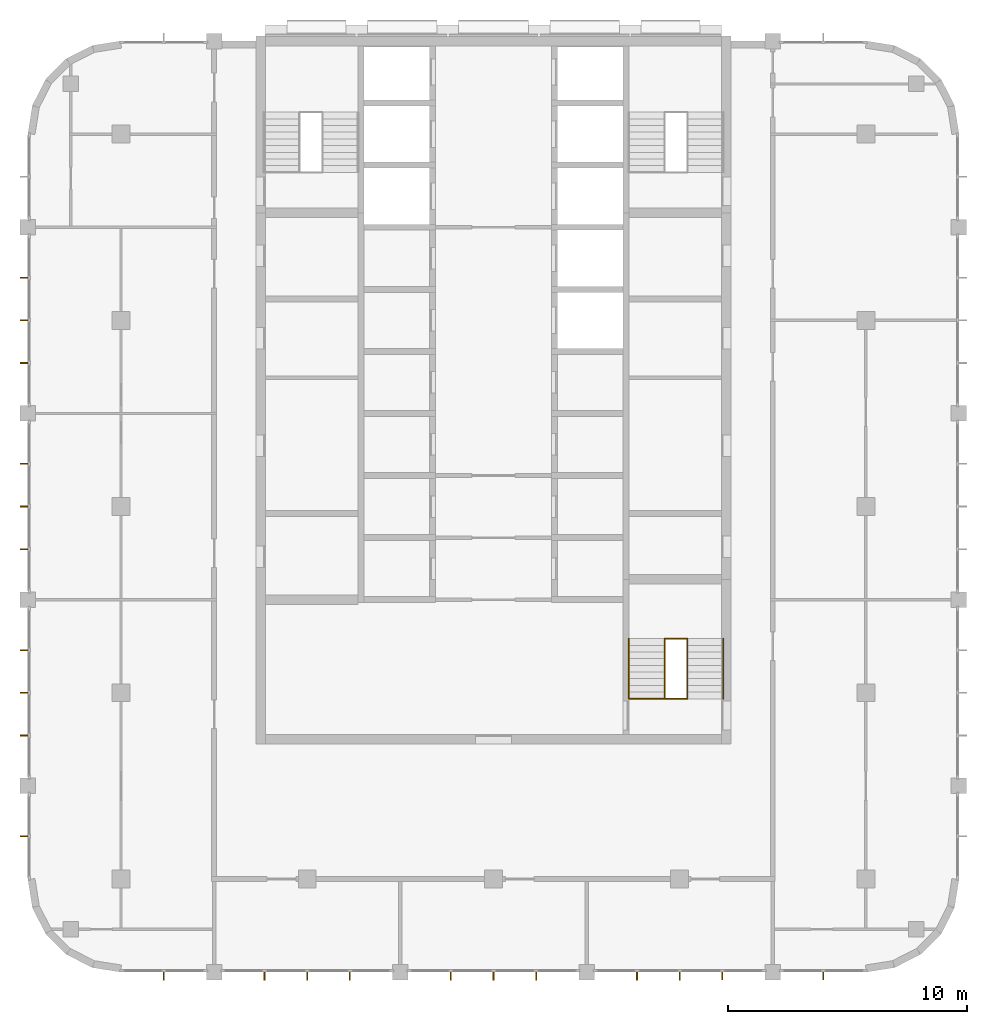
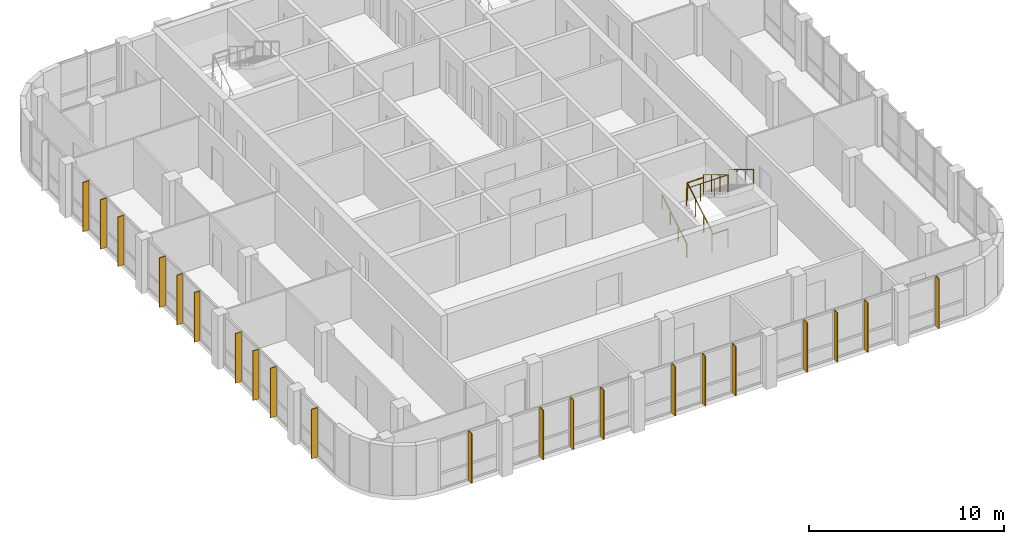
# One storey, part 15 of 17: 21 shading devices, 7 railings, 1 element without a shape of its own.
"""IFC4 building model written with IfcOpenShell, lengths in metres."""

import ifcopenshell
import ifcopenshell.guid

model = None  # the IFC model being written
_history = None  # IfcOwnerHistory: only IFC2X3 demands one
_inside = {}  # id of a spatial element -> (the spatial element, [elements in it])
_under = {}  # id of a project, library or spatial element -> (it, [spatial elements below it])
_declared = {}  # id of a project -> (the project, [libraries it declares])
_typed = {}  # id of a type object -> (the type object, [elements of that type])
_made_of = {}  # id of a material, layer set ... -> (it, [elements and type objects made of it])


def new_model(schema):
    """Start an empty IFC model of exactly this schema.

    Asked for "IFC4X3", IfcOpenShell would pick the latest addendum, in which some entities
    have other attributes; the version numbers below select the first issue.
    IFC2X3 requires an IfcOwnerHistory on every rooted entity: one is made here for all.
    """
    global model, _history
    if schema == "IFC4X3":
        model = ifcopenshell.file(schema_version=(4, 3, 0, 0))
    else:
        model = ifcopenshell.file(schema=schema)
    _inside.clear()
    _under.clear()
    _declared.clear()
    _typed.clear()
    _made_of.clear()
    _history = None
    if model.schema == "IFC2X3":
        org = make("IfcOrganization", Name="unknown")
        user = make(
            "IfcPersonAndOrganization",
            ThePerson=make("IfcPerson", FamilyName="unknown"),
            TheOrganization=org,
        )
        app = make(
            "IfcApplication",
            ApplicationDeveloper=org,
            Version="unknown",
            ApplicationFullName="unknown",
            ApplicationIdentifier="unknown",
        )
        _history = make(
            "IfcOwnerHistory",
            OwningUser=user,
            OwningApplication=app,
            ChangeAction="ADDED",
            CreationDate=0,
        )
    return model


def make(cls, **values):
    """One entity of the class cls with the attributes given. An attribute that is None is left unset."""
    return model.create_entity(
        cls, **{name: value for name, value in values.items() if value is not None}
    )


def rooted(cls, **values):
    """An entity with a GlobalId (a new one), such as an element, a storey or a relation."""
    return make(cls, GlobalId=ifcopenshell.guid.new(), OwnerHistory=_history, **values)


def si_unit(unit_type, name, prefix=None):
    """IfcSIUnit, for example si_unit("LENGTHUNIT", "METRE", prefix="MILLI")."""
    return make("IfcSIUnit", UnitType=unit_type, Prefix=prefix, Name=name)


def assignment(units):
    """IfcUnitAssignment: the units of a project."""
    return None if units is None else make("IfcUnitAssignment", Units=units)


def point(xyz):
    """IfcCartesianPoint."""
    return None if xyz is None else make("IfcCartesianPoint", Coordinates=xyz)


def direction(xyz):
    """IfcDirection."""
    return None if xyz is None else make("IfcDirection", DirectionRatios=xyz)


def frame(location, z_axis=None, x_axis=None):
    """IfcAxis2Placement3D, a coordinate frame: its origin and axes. An axis left out is left unset."""
    return make(
        "IfcAxis2Placement3D",
        Location=point(location),
        Axis=direction(z_axis),
        RefDirection=direction(x_axis),
    )


def frame_2d(location, x_axis=None):
    """IfcAxis2Placement2D, a coordinate frame in the plane: its origin and x axis."""
    return make(
        "IfcAxis2Placement2D", Location=point(location), RefDirection=direction(x_axis)
    )


def origin():
    """The frame at (0, 0, 0) with its axes left unset."""
    return frame((0.0, 0.0, 0.0))


def origin_2d():
    """The frame at (0, 0) in the plane with its x axis left unset."""
    return frame_2d((0.0, 0.0))


def place(relative_to, where):
    """IfcLocalPlacement: puts the frame where relative to a parent placement (None: the world)."""
    return make(
        "IfcLocalPlacement", PlacementRelTo=relative_to, RelativePlacement=where
    )


def context(
    kind, dimensions, precision=None, world=None, true_north=None, identifier=None
):
    """IfcGeometricRepresentationContext, for example the 3D "Model" context."""
    return make(
        "IfcGeometricRepresentationContext",
        ContextIdentifier=identifier,
        ContextType=kind,
        CoordinateSpaceDimension=dimensions,
        Precision=precision,
        WorldCoordinateSystem=world,
        TrueNorth=true_north,
    )


def subcontext(parent, identifier, kind, view, scale=None):
    """IfcGeometricRepresentationSubContext, for example "Body" below "Model"."""
    return make(
        "IfcGeometricRepresentationSubContext",
        ContextIdentifier=identifier,
        ContextType=kind,
        ParentContext=parent,
        TargetScale=scale,
        TargetView=view,
    )


def project(units=None, contexts=None):
    """IfcProject with its units and contexts."""
    return rooted(
        "IfcProject",
        Name="project",
        RepresentationContexts=contexts,
        UnitsInContext=assignment(units),
    )


def spatial(cls, under=None, at=None, **own):
    """A site, building, storey or space (cls), placed at a placement, below another one or the project."""
    s = rooted(cls, ObjectPlacement=at, **own)
    if under is not None:
        _under.setdefault(under.id(), (under, []))[1].append(s)
    return s


def profile(cls, at=None, kind="AREA", **sizes):
    """A parametric profile (cls). Its sizes go by their IFC names, for example OverallWidth=200.0."""
    return make(cls, ProfileType=kind, Position=at, **sizes)


def rectangle(**sizes):
    """IfcRectangleProfileDef."""
    return profile("IfcRectangleProfileDef", **sizes)


def circle(**sizes):
    """IfcCircleProfileDef."""
    return profile("IfcCircleProfileDef", **sizes)


def extrude(swept, where, along, depth):
    """IfcExtrudedAreaSolid: the profile swept, set in the frame where, extruded along a direction by depth."""
    return make(
        "IfcExtrudedAreaSolid",
        SweptArea=swept,
        Position=where,
        ExtrudedDirection=direction(along),
        Depth=depth,
    )


def shape(context_of_items, identifier, shape_type, items):
    """IfcShapeRepresentation: the items that make up one representation, for example the "Body"."""
    return make(
        "IfcShapeRepresentation",
        ContextOfItems=context_of_items,
        RepresentationIdentifier=identifier,
        RepresentationType=shape_type,
        Items=items,
    )


def material(Name=None, Category=None):
    """IfcMaterial."""
    return make("IfcMaterial", Name=Name, Category=Category)


def layer(
    of_material, thickness, ventilated=None, Name=None, Category=None, Priority=None
):
    """IfcMaterialLayer: one layer of a wall or slab, of a material (None: an air gap)."""
    return make(
        "IfcMaterialLayer",
        Material=of_material,
        LayerThickness=thickness,
        IsVentilated=ventilated,
        Name=Name,
        Category=Category,
        Priority=Priority,
    )


def layer_set(layers, Name=None):
    """IfcMaterialLayerSet."""
    return make("IfcMaterialLayerSet", MaterialLayers=layers, LayerSetName=Name)


def made_of(thing, what):
    """Note that an element or type object is made of a material, layer set ...; save() writes the relation."""
    if what is not None:
        _made_of.setdefault(what.id(), (what, []))[1].append(thing)
    return thing


def type_object(cls, material=None, **own):
    """A type object (cls), such as IfcWallType, which elements share."""
    return made_of(rooted(cls, **own), material)


def element(
    cls,
    number,
    at=None,
    inside=None,
    cuts=None,
    type_object=None,
    material=None,
    context=None,
    identifier="Body",
    shape_type=None,
    held_by="IfcProductDefinitionShape",
    body=None,
    shapes=None,
    **own,
):
    """One element of the class cls, such as IfcWall. Its Tag is "e" and its number.

    at: its placement. inside: the storey or other place that contains it. cuts: it is an
    opening in that element (IfcRelVoidsElement). A single representation is given by context,
    identifier, shape_type and body (its items); several are given by shapes. held_by: the class
    of the entity that holds the representations. save() writes the other relations.
    """
    e = rooted(cls, Tag="e%d" % number, ObjectPlacement=at, **own)
    if body is not None:
        shapes = [shape(context, identifier, shape_type, body)]
    if shapes is not None:
        e.Representation = make(held_by, Representations=shapes)
    if inside is not None:
        _inside.setdefault(inside.id(), (inside, []))[1].append(e)
    if cuts is not None:
        rooted(
            "IfcRelVoidsElement", RelatingBuildingElement=cuts, RelatedOpeningElement=e
        )
    if type_object is not None:
        _typed.setdefault(type_object.id(), (type_object, []))[1].append(e)
    return made_of(e, material)


def aggregate(whole, parts):
    """IfcRelAggregates: a whole, such as a stair, and the parts it consists of."""
    return rooted("IfcRelAggregates", RelatingObject=whole, RelatedObjects=parts)


def save(model, path):
    """Write the relations noted so far, then the file.

    IfcRelAggregates (storeys below a building ...), IfcRelContainedInSpatialStructure (elements
    in a storey), IfcRelDefinesByType, IfcRelAssociatesMaterial and IfcRelDeclares: one each for
    every whole, place, type object, material and project.
    """
    for whole, parts in _under.values():
        aggregate(whole, parts)
    for where, things in _inside.values():
        rooted(
            "IfcRelContainedInSpatialStructure",
            RelatedElements=things,
            RelatingStructure=where,
        )
    for kind, things in _typed.values():
        rooted("IfcRelDefinesByType", RelatedObjects=things, RelatingType=kind)
    for what, things in _made_of.values():
        rooted("IfcRelAssociatesMaterial", RelatedObjects=things, RelatingMaterial=what)
    for by, libraries in _declared.values():
        rooted("IfcRelDeclares", RelatingContext=by, RelatedDefinitions=libraries)
    model.write(path)


model = new_model("IFC4")

# Units and contexts
model_context = context("Model", 3, precision=1e-05, world=origin(), true_north=direction((0.0, 1.0)))
body_context = subcontext(model_context, "Body", "Model", "MODEL_VIEW")
ifc_project = project(units=[si_unit("LENGTHUNIT", "METRE"), si_unit("AREAUNIT", "SQUARE_METRE"), si_unit("VOLUMEUNIT", "CUBIC_METRE"), si_unit("PLANEANGLEUNIT", "RADIAN"), si_unit("MASSUNIT", "GRAM", prefix="KILO")], contexts=[model_context])

# Site, building, storey
site_placement = place(None, origin())
site = spatial("IfcSite", under=ifc_project, at=site_placement, CompositionType="ELEMENT")
building_placement = place(site_placement, origin())
building = spatial("IfcBuilding", under=site, at=building_placement, Name="Ludao Terraces", CompositionType="ELEMENT")
storey_placement = place(building_placement, frame((0.0, 0.0, 263.0)))
storey = spatial("IfcBuildingStorey", under=building, at=storey_placement, Name="L72", CompositionType="ELEMENT", Elevation=263.0)

# Shading devices
ifc_material_1 = material(Name="Aluminium 6063-T6", Category="aluminium")
ifc_layer = layer(ifc_material_1, 0.050048828125)
ifc_layer_set = layer_set([ifc_layer], Name="ENV Sun fin 50x350")
shading_device_type = type_object("IfcShadingDeviceType", Name="ENV Sun fin 50x350", PredefinedType="USERDEFINED", material=ifc_layer_set)
for number, where, z_axis, x_axis, name in (
    (1, (71.1875, 45.344970703125, 0.0), (0.0, 0.0, 1.0), (1.0, 0.0, 0.0), "FN-CW-L72-S1-1"),
    (2, (75.41259765625, 45.344970703125, 0.0), (0.0, 0.0, 1.0), (1.0, 0.0, 0.0), "FN-CW-L72-S2-1"),
    (3, (77.199951171875, 45.344970703125, 0.0), (0.0, 0.0, 1.0), (1.0, 0.0, 0.0), "FN-CW-L72-S2-2"),
    (4, (78.987548828125, 45.344970703125, 0.0), (0.0, 0.0, 1.0), (1.0, 0.0, 0.0), "FN-CW-L72-S2-3"),
    (5, (83.21240234375, 45.344970703125, 0.0), (0.0, 0.0, 1.0), (1.0, 0.0, 0.0), "FN-CW-L72-S3-1"),
    (6, (85.0, 45.344970703125, 0.0), (0.0, 0.0, 1.0), (1.0, 0.0, 0.0), "FN-CW-L72-S3-2"),
    (7, (86.78759765625, 45.344970703125, 0.0), (0.0, 0.0, 1.0), (1.0, 0.0, 0.0), "FN-CW-L72-S3-3"),
    (8, (91.012451171875, 45.344970703125, 0.0), (0.0, 0.0, 1.0), (1.0, 0.0, 0.0), "FN-CW-L72-S4-1"),
    (9, (92.800048828125, 45.344970703125, 0.0), (0.0, 0.0, 1.0), (1.0, 0.0, 0.0), "FN-CW-L72-S4-2"),
    (10, (94.58740234375, 45.344970703125, 0.0), (0.0, 0.0, 1.0), (1.0, 0.0, 0.0), "FN-CW-L72-S4-3"),
    (11, (98.8125, 45.344970703125, 0.0), (0.0, 0.0, 1.0), (1.0, 0.0, 0.0), "FN-CW-L72-S5-1"),
):
    element("IfcShadingDevice", number, at=place(storey_placement, frame(where, z_axis=z_axis, x_axis=x_axis)), inside=storey, type_object=shading_device_type, Name=name, ObjectType="FIN", PredefinedType="USERDEFINED", context=body_context, shape_type="SweptSolid", body=[
        extrude(rectangle(XDim=0.050048828125, YDim=0.35009765625, at=origin_2d()), origin(), (0.0, 0.0, 1.0), 3.10009765625),
    ])
for number, where, z_axis, x_axis, name in (
    (12, (65.344970703125, 51.1875, 0.0), (0.0, 0.0, 1.0), (1.0, 0.0, 0.0), "FN-CW-L72-W1-1"),
    (13, (65.344970703125, 55.41259765625, 0.0), (0.0, 0.0, 1.0), (1.0, 0.0, 0.0), "FN-CW-L72-W2-1"),
    (14, (65.344970703125, 57.199951171875, 0.0), (0.0, 0.0, 1.0), (1.0, 0.0, 0.0), "FN-CW-L72-W2-2"),
    (15, (65.344970703125, 58.987548828125, 0.0), (0.0, 0.0, 1.0), (1.0, 0.0, 0.0), "FN-CW-L72-W2-3"),
    (16, (65.344970703125, 63.21240234375, 0.0), (0.0, 0.0, 1.0), (1.0, 0.0, 0.0), "FN-CW-L72-W3-1"),
    (17, (65.344970703125, 65.0, 0.0), (0.0, 0.0, 1.0), (1.0, 0.0, 0.0), "FN-CW-L72-W3-2"),
    (18, (65.344970703125, 66.78759765625, 0.0), (0.0, 0.0, 1.0), (1.0, 0.0, 0.0), "FN-CW-L72-W3-3"),
    (19, (65.344970703125, 71.012451171875, 0.0), (0.0, 0.0, 1.0), (1.0, 0.0, 0.0), "FN-CW-L72-W4-1"),
    (20, (65.344970703125, 72.800048828125, 0.0), (0.0, 0.0, 1.0), (1.0, 0.0, 0.0), "FN-CW-L72-W4-2"),
    (21, (65.344970703125, 74.58740234375, 0.0), (0.0, 0.0, 1.0), (1.0, 0.0, 0.0), "FN-CW-L72-W4-3"),
):
    element("IfcShadingDevice", number, at=place(storey_placement, frame(where, z_axis=z_axis, x_axis=x_axis)), inside=storey, type_object=shading_device_type, Name=name, ObjectType="FIN", PredefinedType="USERDEFINED", context=body_context, shape_type="SweptSolid", body=[
        extrude(rectangle(XDim=0.35009765625, YDim=0.050048828125, at=origin_2d()), origin(), (0.0, 0.0, 1.0), 3.10009765625),
    ])

# Stair, railings
ifc_material_2 = material(Name="Concrete C40", Category="concrete")
stair_type = type_object("IfcStairType", Name="INT Stair", PredefinedType="HALF_TURN_STAIR", material=ifc_material_2)
stair_placement = place(storey_placement, origin())
stair = element("IfcStair", 22, at=stair_placement, inside=storey, type_object=stair_type, Name="EXIT STAIR 3", PredefinedType="HALF_TURN_STAIR")
ifc_material_3 = material(Name="Stainless steel 304", Category="steel")
railing_type_1 = type_object("IfcRailingType", Name="INT Stair guard 1100", PredefinedType="GUARDRAIL", material=ifc_material_3)
railing_1_placement = place(storey_placement, frame((92.175048828125, 56.949951171875, 0.169921875)))
railing_1 = element("IfcRailing", 23, at=railing_1_placement, type_object=railing_type_1, Name="ST-L72-S3-R1G", PredefinedType="GUARDRAIL", context=body_context, shape_type="SweptSolid", body=[
    extrude(circle(Radius=0.02392578125, at=origin_2d()), frame((0.0, 0.0, 1.076171875), z_axis=(0.0, 0.85478489116, 0.518982456201), x_axis=(-1.0, 0.0, 0.0)), (0.0, 0.0, 1.0), 2.9482421875),
    extrude(circle(Radius=0.02099609375, at=origin_2d()), origin(), (0.0, 0.0, 1.0), 1.052001953125),
    extrude(circle(Radius=0.02099609375, at=origin_2d()), frame((0.0, 0.840087890625, 0.510009765625)), (0.0, 0.0, 1.0), 1.052001953125),
    extrude(circle(Radius=0.02099609375, at=origin_2d()), frame((0.0, 1.679931640625, 1.02001953125)), (0.0, 0.0, 1.0), 1.052001953125),
    extrude(circle(Radius=0.02099609375, at=origin_2d()), frame((0.0, 2.52001953125, 1.530029296875)), (0.0, 0.0, 1.0), 1.052001953125),
])
railing_2_placement = place(storey_placement, frame((93.125, 59.469970703125, 1.8701171875)))
railing_2 = element("IfcRailing", 24, at=railing_2_placement, type_object=railing_type_1, Name="ST-L72-S3-R2G", PredefinedType="GUARDRAIL", context=body_context, shape_type="SweptSolid", body=[
    extrude(circle(Radius=0.02392578125, at=origin_2d()), frame((0.0, 0.0, 1.076171875), z_axis=(0.0, -0.854821627497, 0.518921945155), x_axis=(1.0, 0.0, 0.0)), (0.0, 0.0, 1.0), 2.947998046875),
    extrude(circle(Radius=0.02099609375, at=origin_2d()), origin(), (0.0, 0.0, 1.0), 1.052001953125),
    extrude(circle(Radius=0.02099609375, at=origin_2d()), frame((0.0, -0.840087890625, 0.510009765625)), (0.0, 0.0, 1.0), 1.052001953125),
    extrude(circle(Radius=0.02099609375, at=origin_2d()), frame((0.0, -1.679931640625, 1.019775390625)), (0.0, 0.0, 1.0), 1.052001953125),
    extrude(circle(Radius=0.02099609375, at=origin_2d()), frame((0.0, -2.52001953125, 1.52978515625)), (0.0, 0.0, 1.0), 1.052001953125),
])
railing_3_placement = place(storey_placement, frame((92.175048828125, 59.469970703125, 1.699951171875)))
railing_3 = element("IfcRailing", 25, at=railing_3_placement, type_object=railing_type_1, Name="ST-L72-S3-E1G", PredefinedType="GUARDRAIL", context=body_context, shape_type="SweptSolid", body=[
    extrude(circle(Radius=0.02392578125, at=origin_2d()), frame((0.0, 0.0, 1.076171875), z_axis=(1.0, 0.0, 0.0), x_axis=(0.0, 1.0, 0.0)), (0.0, 0.0, 1.0), 0.949951171875),
    extrude(circle(Radius=0.02099609375, at=origin_2d()), origin(), (0.0, 0.0, 1.0), 1.052001953125),
    extrude(circle(Radius=0.02099609375, at=origin_2d()), frame((0.949951171875, 0.0, 0.0)), (0.0, 0.0, 1.0), 1.052001953125),
])
railing_4_placement = place(storey_placement, frame((92.175048828125, 56.949951171875, 0.0)))
railing_4 = element("IfcRailing", 26, at=railing_4_placement, type_object=railing_type_1, Name="ST-L72-S3-E2G", PredefinedType="GUARDRAIL", context=body_context, shape_type="SweptSolid", body=[
    extrude(circle(Radius=0.02392578125, at=origin_2d()), frame((0.0, 0.0, 1.076171875), z_axis=(1.0, 0.0, 0.0), x_axis=(0.0, 1.0, 0.0)), (0.0, 0.0, 1.0), 0.949951171875),
    extrude(circle(Radius=0.02099609375, at=origin_2d()), origin(), (0.0, 0.0, 1.0), 1.052001953125),
    extrude(circle(Radius=0.02099609375, at=origin_2d()), frame((0.949951171875, 0.0, 0.0)), (0.0, 0.0, 1.0), 1.052001953125),
])
railing_5_placement = place(storey_placement, frame((90.675048828125, 56.949951171875, 3.39990234375)))
railing_5 = element("IfcRailing", 27, at=railing_5_placement, type_object=railing_type_1, Name="ST-L72-S3-E3G", PredefinedType="GUARDRAIL", context=body_context, shape_type="SweptSolid", body=[
    extrude(circle(Radius=0.02392578125, at=origin_2d()), frame((0.0, 0.0, 1.076171875), z_axis=(1.0, 0.0, 0.0), x_axis=(0.0, 1.0, 0.0)), (0.0, 0.0, 1.0), 2.449951171875),
    extrude(circle(Radius=0.02099609375, at=origin_2d()), origin(), (0.0, 0.0, 1.0), 1.052001953125),
    extrude(circle(Radius=0.02099609375, at=origin_2d()), frame((0.816650390625, 0.0, 0.0)), (0.0, 0.0, 1.0), 1.052001953125),
    extrude(circle(Radius=0.02099609375, at=origin_2d()), frame((1.63330078125, 0.0, 0.0)), (0.0, 0.0, 1.0), 1.052001953125),
    extrude(circle(Radius=0.02099609375, at=origin_2d()), frame((2.449951171875, 0.0, 0.0)), (0.0, 0.0, 1.0), 1.052001953125),
])
railing_type_2 = type_object("IfcRailingType", Name="INT Stair handrail 900", PredefinedType="HANDRAIL", material=ifc_material_3)
railing_6_placement = place(storey_placement, frame((90.675048828125, 56.949951171875, 0.169921875)))
railing_6 = element("IfcRailing", 28, at=railing_6_placement, type_object=railing_type_2, Name="ST-L72-S3-R1H", PredefinedType="HANDRAIL", context=body_context, shape_type="SweptSolid", body=[
    extrude(circle(Radius=0.02392578125, at=origin_2d()), frame((0.0, 0.0, 0.8759765625), z_axis=(0.0, 0.85478489116, 0.518982456201), x_axis=(-1.0, 0.0, 0.0)), (0.0, 0.0, 1.0), 2.9482421875),
    extrude(circle(Radius=0.02099609375, at=origin_2d()), origin(), (0.0, 0.0, 1.0), 0.851806640625),
    extrude(circle(Radius=0.02099609375, at=origin_2d()), frame((0.0, 0.840087890625, 0.510009765625)), (0.0, 0.0, 1.0), 0.851806640625),
    extrude(circle(Radius=0.02099609375, at=origin_2d()), frame((0.0, 1.679931640625, 1.02001953125)), (0.0, 0.0, 1.0), 0.851806640625),
    extrude(circle(Radius=0.02099609375, at=origin_2d()), frame((0.0, 2.52001953125, 1.530029296875)), (0.0, 0.0, 1.0), 0.851806640625),
])
railing_7_placement = place(storey_placement, frame((94.625, 59.469970703125, 1.8701171875)))
railing_7 = element("IfcRailing", 29, at=railing_7_placement, type_object=railing_type_2, Name="ST-L72-S3-R2H", PredefinedType="HANDRAIL", context=body_context, shape_type="SweptSolid", body=[
    extrude(circle(Radius=0.02392578125, at=origin_2d()), frame((0.0, 0.0, 0.8759765625), z_axis=(0.0, -0.854821627497, 0.518921945155), x_axis=(1.0, 0.0, 0.0)), (0.0, 0.0, 1.0), 2.947998046875),
    extrude(circle(Radius=0.02099609375, at=origin_2d()), origin(), (0.0, 0.0, 1.0), 0.851806640625),
    extrude(circle(Radius=0.02099609375, at=origin_2d()), frame((0.0, -0.840087890625, 0.510009765625)), (0.0, 0.0, 1.0), 0.851806640625),
    extrude(circle(Radius=0.02099609375, at=origin_2d()), frame((0.0, -1.679931640625, 1.019775390625)), (0.0, 0.0, 1.0), 0.851806640625),
    extrude(circle(Radius=0.02099609375, at=origin_2d()), frame((0.0, -2.52001953125, 1.52978515625)), (0.0, 0.0, 1.0), 0.851806640625),
])
aggregate(stair, [railing_1, railing_6, railing_2, railing_7, railing_3, railing_4, railing_5])

save(model, "model.ifc")
